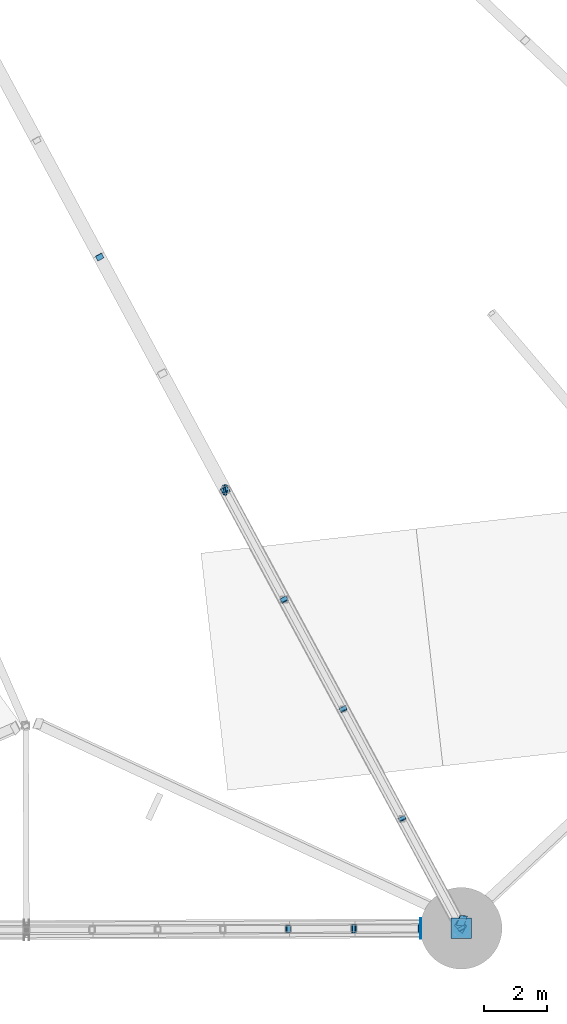
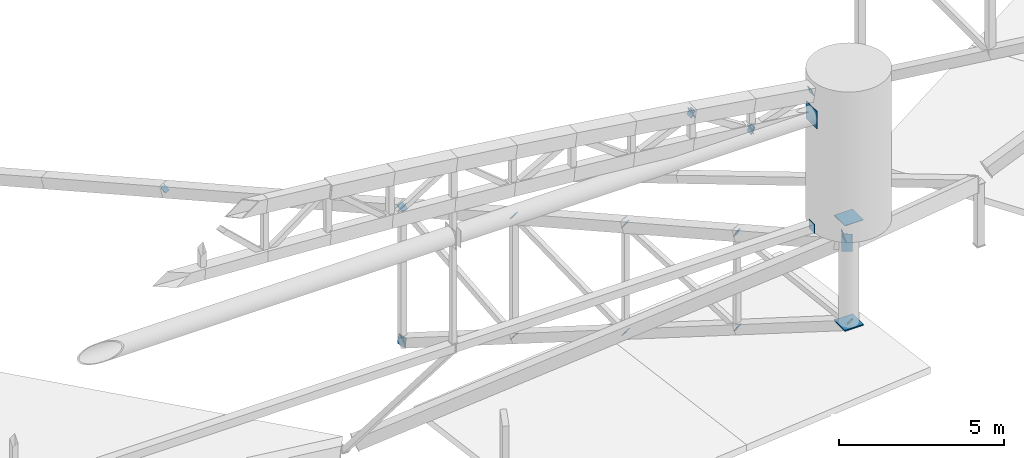
# One storey, part 141 of 188: 24 discrete accessories.
"""IFC4 building model written with IfcOpenShell, lengths in metres."""

import ifcopenshell
import ifcopenshell.guid

model = None  # the IFC model being written
_history = None  # IfcOwnerHistory: only IFC2X3 demands one
_inside = {}  # id of a spatial element -> (the spatial element, [elements in it])
_under = {}  # id of a project, library or spatial element -> (it, [spatial elements below it])
_declared = {}  # id of a project -> (the project, [libraries it declares])
_typed = {}  # id of a type object -> (the type object, [elements of that type])
_made_of = {}  # id of a material, layer set ... -> (it, [elements and type objects made of it])


def new_model(schema):
    """Start an empty IFC model of exactly this schema.

    Asked for "IFC4X3", IfcOpenShell would pick the latest addendum, in which some entities
    have other attributes; the version numbers below select the first issue.
    IFC2X3 requires an IfcOwnerHistory on every rooted entity: one is made here for all.
    """
    global model, _history
    if schema == "IFC4X3":
        model = ifcopenshell.file(schema_version=(4, 3, 0, 0))
    else:
        model = ifcopenshell.file(schema=schema)
    _inside.clear()
    _under.clear()
    _declared.clear()
    _typed.clear()
    _made_of.clear()
    _history = None
    if model.schema == "IFC2X3":
        org = make("IfcOrganization", Name="unknown")
        user = make(
            "IfcPersonAndOrganization",
            ThePerson=make("IfcPerson", FamilyName="unknown"),
            TheOrganization=org,
        )
        app = make(
            "IfcApplication",
            ApplicationDeveloper=org,
            Version="unknown",
            ApplicationFullName="unknown",
            ApplicationIdentifier="unknown",
        )
        _history = make(
            "IfcOwnerHistory",
            OwningUser=user,
            OwningApplication=app,
            ChangeAction="ADDED",
            CreationDate=0,
        )
    return model


def make(cls, **values):
    """One entity of the class cls with the attributes given. An attribute that is None is left unset."""
    return model.create_entity(
        cls, **{name: value for name, value in values.items() if value is not None}
    )


def rooted(cls, **values):
    """An entity with a GlobalId (a new one), such as an element, a storey or a relation."""
    return make(cls, GlobalId=ifcopenshell.guid.new(), OwnerHistory=_history, **values)


def si_unit(unit_type, name, prefix=None):
    """IfcSIUnit, for example si_unit("LENGTHUNIT", "METRE", prefix="MILLI")."""
    return make("IfcSIUnit", UnitType=unit_type, Prefix=prefix, Name=name)


def assignment(units):
    """IfcUnitAssignment: the units of a project."""
    return None if units is None else make("IfcUnitAssignment", Units=units)


def point(xyz):
    """IfcCartesianPoint."""
    return None if xyz is None else make("IfcCartesianPoint", Coordinates=xyz)


def direction(xyz):
    """IfcDirection."""
    return None if xyz is None else make("IfcDirection", DirectionRatios=xyz)


def frame(location, z_axis=None, x_axis=None):
    """IfcAxis2Placement3D, a coordinate frame: its origin and axes. An axis left out is left unset."""
    return make(
        "IfcAxis2Placement3D",
        Location=point(location),
        Axis=direction(z_axis),
        RefDirection=direction(x_axis),
    )


def frame_2d(location, x_axis=None):
    """IfcAxis2Placement2D, a coordinate frame in the plane: its origin and x axis."""
    return make(
        "IfcAxis2Placement2D", Location=point(location), RefDirection=direction(x_axis)
    )


def origin():
    """The frame at (0, 0, 0) with its axes left unset."""
    return frame((0.0, 0.0, 0.0))


def origin_2d():
    """The frame at (0, 0) in the plane with its x axis left unset."""
    return frame_2d((0.0, 0.0))


def place(relative_to, where):
    """IfcLocalPlacement: puts the frame where relative to a parent placement (None: the world)."""
    return make(
        "IfcLocalPlacement", PlacementRelTo=relative_to, RelativePlacement=where
    )


def context(
    kind, dimensions, precision=None, world=None, true_north=None, identifier=None
):
    """IfcGeometricRepresentationContext, for example the 3D "Model" context."""
    return make(
        "IfcGeometricRepresentationContext",
        ContextIdentifier=identifier,
        ContextType=kind,
        CoordinateSpaceDimension=dimensions,
        Precision=precision,
        WorldCoordinateSystem=world,
        TrueNorth=true_north,
    )


def subcontext(parent, identifier, kind, view, scale=None):
    """IfcGeometricRepresentationSubContext, for example "Body" below "Model"."""
    return make(
        "IfcGeometricRepresentationSubContext",
        ContextIdentifier=identifier,
        ContextType=kind,
        ParentContext=parent,
        TargetScale=scale,
        TargetView=view,
    )


def project(units=None, contexts=None):
    """IfcProject with its units and contexts."""
    return rooted(
        "IfcProject",
        Name="project",
        RepresentationContexts=contexts,
        UnitsInContext=assignment(units),
    )


def spatial(cls, under=None, at=None, **own):
    """A site, building, storey or space (cls), placed at a placement, below another one or the project."""
    s = rooted(cls, ObjectPlacement=at, **own)
    if under is not None:
        _under.setdefault(under.id(), (under, []))[1].append(s)
    return s


def profile(cls, at=None, kind="AREA", **sizes):
    """A parametric profile (cls). Its sizes go by their IFC names, for example OverallWidth=200.0."""
    return make(cls, ProfileType=kind, Position=at, **sizes)


def rectangle(**sizes):
    """IfcRectangleProfileDef."""
    return profile("IfcRectangleProfileDef", **sizes)


def extrude(swept, where, along, depth):
    """IfcExtrudedAreaSolid: the profile swept, set in the frame where, extruded along a direction by depth."""
    return make(
        "IfcExtrudedAreaSolid",
        SweptArea=swept,
        Position=where,
        ExtrudedDirection=direction(along),
        Depth=depth,
    )


def shape(context_of_items, identifier, shape_type, items):
    """IfcShapeRepresentation: the items that make up one representation, for example the "Body"."""
    return make(
        "IfcShapeRepresentation",
        ContextOfItems=context_of_items,
        RepresentationIdentifier=identifier,
        RepresentationType=shape_type,
        Items=items,
    )


def material(Name=None, Category=None):
    """IfcMaterial."""
    return make("IfcMaterial", Name=Name, Category=Category)


def material_profile(
    of_material, cross_section, Name=None, Category=None, Priority=None
):
    """IfcMaterialProfile: a cross section and its material."""
    return make(
        "IfcMaterialProfile",
        Name=Name,
        Material=of_material,
        Profile=cross_section,
        Priority=Priority,
        Category=Category,
    )


def profile_set(profiles, Name=None, composite=None):
    """IfcMaterialProfileSet."""
    return make(
        "IfcMaterialProfileSet",
        Name=Name,
        MaterialProfiles=profiles,
        CompositeProfile=composite,
    )


def made_of(thing, what):
    """Note that an element or type object is made of a material, layer set ...; save() writes the relation."""
    if what is not None:
        _made_of.setdefault(what.id(), (what, []))[1].append(thing)
    return thing


def type_object(cls, material=None, **own):
    """A type object (cls), such as IfcWallType, which elements share."""
    return made_of(rooted(cls, **own), material)


def element(
    cls,
    number,
    at=None,
    inside=None,
    cuts=None,
    type_object=None,
    material=None,
    context=None,
    identifier="Body",
    shape_type=None,
    held_by="IfcProductDefinitionShape",
    body=None,
    shapes=None,
    **own,
):
    """One element of the class cls, such as IfcWall. Its Tag is "e" and its number.

    at: its placement. inside: the storey or other place that contains it. cuts: it is an
    opening in that element (IfcRelVoidsElement). A single representation is given by context,
    identifier, shape_type and body (its items); several are given by shapes. held_by: the class
    of the entity that holds the representations. save() writes the other relations.
    """
    e = rooted(cls, Tag="e%d" % number, ObjectPlacement=at, **own)
    if body is not None:
        shapes = [shape(context, identifier, shape_type, body)]
    if shapes is not None:
        e.Representation = make(held_by, Representations=shapes)
    if inside is not None:
        _inside.setdefault(inside.id(), (inside, []))[1].append(e)
    if cuts is not None:
        rooted(
            "IfcRelVoidsElement", RelatingBuildingElement=cuts, RelatedOpeningElement=e
        )
    if type_object is not None:
        _typed.setdefault(type_object.id(), (type_object, []))[1].append(e)
    return made_of(e, material)


def aggregate(whole, parts):
    """IfcRelAggregates: a whole, such as a stair, and the parts it consists of."""
    return rooted("IfcRelAggregates", RelatingObject=whole, RelatedObjects=parts)


def save(model, path):
    """Write the relations noted so far, then the file.

    IfcRelAggregates (storeys below a building ...), IfcRelContainedInSpatialStructure (elements
    in a storey), IfcRelDefinesByType, IfcRelAssociatesMaterial and IfcRelDeclares: one each for
    every whole, place, type object, material and project.
    """
    for whole, parts in _under.values():
        aggregate(whole, parts)
    for where, things in _inside.values():
        rooted(
            "IfcRelContainedInSpatialStructure",
            RelatedElements=things,
            RelatingStructure=where,
        )
    for kind, things in _typed.values():
        rooted("IfcRelDefinesByType", RelatedObjects=things, RelatingType=kind)
    for what, things in _made_of.values():
        rooted("IfcRelAssociatesMaterial", RelatedObjects=things, RelatingMaterial=what)
    for by, libraries in _declared.values():
        rooted("IfcRelDeclares", RelatingContext=by, RelatedDefinitions=libraries)
    model.write(path)


model = new_model("IFC4")

# Units and contexts
model_context = context("Model", 3, precision=1e-05, world=origin(), true_north=direction((0.0, 1.0)))
body_context = subcontext(model_context, "Body", "Model", "MODEL_VIEW")
ifc_project = project(units=[si_unit("LENGTHUNIT", "METRE"), si_unit("AREAUNIT", "SQUARE_METRE"), si_unit("VOLUMEUNIT", "CUBIC_METRE"), si_unit("PLANEANGLEUNIT", "RADIAN"), si_unit("MASSUNIT", "GRAM", prefix="KILO")], contexts=[model_context])

# Site, building, storey
site_placement = place(None, origin())
site = spatial("IfcSite", under=ifc_project, at=site_placement, CompositionType="ELEMENT")
building_placement = place(site_placement, origin())
building = spatial("IfcBuilding", under=site, at=building_placement, Name="Meseta Stadium", CompositionType="ELEMENT")
storey_placement = place(building_placement, frame((0.0, 0.0, 30.0)))
storey = spatial("IfcBuildingStorey", under=building, at=storey_placement, Name="ROOF", CompositionType="ELEMENT", Elevation=30.0)

# Discrete accessories
ifc_material_1 = material(Name="Steel S355", Category="steel")
ifc_material_profile_1 = material_profile(ifc_material_1, rectangle(XDim=0.219970703125, YDim=0.219970703125, at=origin_2d()), Name="PL 220x220")
ifc_profile_set_1 = profile_set([ifc_material_profile_1], Name="Steel S355")
discrete_accessory_type_1 = type_object("IfcDiscreteAccessoryType", Name="End plate 220x220x20", PredefinedType="ANCHORPLATE", material=ifc_profile_set_1)
discrete_accessory_1_placement = place(storey_placement, frame((40.682373046875, -83.6650390625, 3.4267578125), z_axis=(0.317616853461, -0.586369575619, 0.74517800235), x_axis=(0.879291966537, 0.476283148541, 0.0)))
element("IfcDiscreteAccessory", 1, at=discrete_accessory_1_placement, inside=storey, type_object=discrete_accessory_type_1, Name="End plate of ROOF TRUSS RT-50 diagonal", PredefinedType="ANCHORPLATE", context=body_context, shape_type="SweptSolid", body=[
    extrude(rectangle(XDim=0.219970703125, YDim=0.219970703125, at=origin_2d()), origin(), (0.0, 0.0, 1.0), 0.02001953125),
])
discrete_accessory_2_placement = place(storey_placement, frame((44.67529296875, -91.077392578125, 5.87255859375), z_axis=(0.368465851911, -0.675520728504, -0.638674143313), x_axis=(0.877895572914, 0.478852130681, 0.0)))
element("IfcDiscreteAccessory", 2, at=discrete_accessory_2_placement, inside=storey, type_object=discrete_accessory_type_1, Name="End plate of ROOF TRUSS RT-50 diagonal", PredefinedType="ANCHORPLATE", context=body_context, shape_type="SweptSolid", body=[
    extrude(rectangle(XDim=0.219970703125, YDim=0.219970703125, at=origin_2d()), origin(), (0.0, 0.0, 1.0), 0.019775390625),
])
for number, where, z_axis, x_axis, name in (
    (3, (46.5625, -94.5810546875, 2.56298828125), (0.365419152851, -0.682115751988, -0.633393198274), (0.881479970029, 0.472221412515, 0.0), "End plate of ROOF TRUSS RT-50 diagonal"),
    (4, (46.554931640625, -94.566650390625, 7.014892578125), (0.377431832286, -0.718338003382, -0.584410579023), (0.885243475438, 0.465127927773, 0.0), "End plate of ROOF TRUSS RT-50 diagonal"),
    (5, (48.442626953125, -98.0712890625, 4.1865234375), (0.390534413834, -0.720047825506, -0.573597420318), (0.879031855697, 0.476763040378, 0.0), "End plate of ROOF TRUSS RT-50 diagonal"),
    (6, (48.4345703125, -98.05615234375, 8.156982421875), (0.403249456213, -0.757620190461, -0.513226580635), (0.882746759079, 0.469849081445, 0.0), "End plate of ROOF TRUSS RT-50 diagonal"),
):
    element("IfcDiscreteAccessory", number, at=place(storey_placement, frame(where, z_axis=z_axis, x_axis=x_axis)), inside=storey, type_object=discrete_accessory_type_1, Name=name, PredefinedType="ANCHORPLATE", context=body_context, shape_type="SweptSolid", body=[
        extrude(rectangle(XDim=0.219970703125, YDim=0.219970703125, at=origin_2d()), origin(), (0.0, 0.0, 1.0), 0.02001953125),
    ])
discrete_accessory_3_placement = place(storey_placement, frame((50.32275390625, -101.5615234375, 5.81005859375), z_axis=(0.4057717842, -0.762359109709, -0.504140701582), x_axis=(0.882746759079, 0.469849081445, 0.0)))
element("IfcDiscreteAccessory", 7, at=discrete_accessory_3_placement, inside=storey, type_object=discrete_accessory_type_1, Name="End plate of ROOF TRUSS RT-50 diagonal", PredefinedType="ANCHORPLATE", context=body_context, shape_type="SweptSolid", body=[
    extrude(rectangle(XDim=0.219970703125, YDim=0.219970703125, at=origin_2d()), origin(), (0.0, 0.0, 1.0), 0.019775390625),
])
for number, where, z_axis, x_axis, name in (
    (8, (50.314208984375, -101.54541015625, 9.298828125), (0.42425021587, -0.800014692783, -0.42425021587), (0.883462102068, 0.468502629885, 0.0), "End plate of ROOF TRUSS RT-50 diagonal"),
    (9, (52.202880859375, -105.0517578125, 7.433837890625), (0.428393042953, -0.795587079771, -0.428393042953), (0.880471099922, 0.474099823035, 0.0), "End plate of ROOF TRUSS RT-50 diagonal"),
):
    element("IfcDiscreteAccessory", number, at=place(storey_placement, frame(where, z_axis=z_axis, x_axis=x_axis)), inside=storey, type_object=discrete_accessory_type_1, Name=name, PredefinedType="ANCHORPLATE", context=body_context, shape_type="SweptSolid", body=[
        extrude(rectangle(XDim=0.219970703125, YDim=0.219970703125, at=origin_2d()), origin(), (0.0, 0.0, 1.0), 0.02001953125),
    ])
ifc_material_2 = material(Name="Steel S355", Category="steel")
ifc_material_profile_2 = material_profile(ifc_material_2, rectangle(XDim=0.260009765625, YDim=0.260009765625, at=origin_2d()), Name="PL 260x260")
ifc_profile_set_2 = profile_set([ifc_material_profile_2], Name="Steel S355")
discrete_accessory_type_2 = type_object("IfcDiscreteAccessoryType", Name="End plate 260x260x20", PredefinedType="ANCHORPLATE", material=ifc_profile_set_2)
discrete_accessory_4_placement = place(storey_placement, frame((44.6826171875, -91.0908203125, 5.85986328125), z_axis=(0.2830461079, -0.529173158248, 0.79991291363), x_axis=(0.881784641935, 0.471652250337, 0.0)))
element("IfcDiscreteAccessory", 10, at=discrete_accessory_4_placement, inside=storey, type_object=discrete_accessory_type_2, Name="End plate of ROOF TRUSS RT-50 diagonal", PredefinedType="ANCHORPLATE", context=body_context, shape_type="SweptSolid", body=[
    extrude(rectangle(XDim=0.260009765625, YDim=0.260009765625, at=origin_2d()), origin(), (0.0, 0.0, 1.0), 0.019775390625),
])
discrete_accessory_5_placement = place(storey_placement, frame((46.694580078125, -105.07275390625, 17.121826171875), z_axis=(0.915315032423, 0.0, 0.402738614266), x_axis=(0.0, 1.0, 0.0)))
element("IfcDiscreteAccessory", 11, at=discrete_accessory_5_placement, inside=storey, type_object=discrete_accessory_type_2, Name="End plate of GABLE ARCH GA-S diagonal", PredefinedType="ANCHORPLATE", context=body_context, shape_type="SweptSolid", body=[
    extrude(rectangle(XDim=0.260009765625, YDim=0.260009765625, at=origin_2d()), origin(), (0.0, 0.0, 1.0), 0.02001953125),
])
discrete_accessory_6_placement = place(storey_placement, frame((46.677978515625, -105.072998046875, 17.132568359375), z_axis=(0.83950617284, 0.012345679012, -0.543209876543), x_axis=(-0.014704292442, 0.999891886048, 0.0)))
element("IfcDiscreteAccessory", 12, at=discrete_accessory_6_placement, inside=storey, type_object=discrete_accessory_type_2, Name="End plate of GABLE ARCH GA-S diagonal", PredefinedType="ANCHORPLATE", context=body_context, shape_type="SweptSolid", body=[
    extrude(rectangle(XDim=0.260009765625, YDim=0.260009765625, at=origin_2d()), origin(), (0.0, 0.0, 1.0), 0.019775390625),
])
for number, where, z_axis, x_axis, name in (
    (13, (48.77880859375, -105.06494140625, 15.78125), (0.843095010527, 0.012218768269, -0.537625803814), (-0.014491231835, 0.999894996587, 0.0), "End plate of GABLE ARCH GA-S diagonal"),
    (14, (48.759765625, -105.06494140625, 15.775146484375), (0.952282288042, 0.0, 0.305218682065), (0.0, 1.0, 0.0), "End plate of GABLE ARCH GA-S diagonal"),
    (15, (50.86279296875, -105.056884765625, 16.449951171875), (0.952211325466, 0.012207837506, 0.305195937649), (-0.012819459325, 0.999917827355, 0.0), "End plate of GABLE ARCH GA-S diagonal"),
):
    element("IfcDiscreteAccessory", number, at=place(storey_placement, frame(where, z_axis=z_axis, x_axis=x_axis)), inside=storey, type_object=discrete_accessory_type_2, Name=name, PredefinedType="ANCHORPLATE", context=body_context, shape_type="SweptSolid", body=[
        extrude(rectangle(XDim=0.260009765625, YDim=0.260009765625, at=origin_2d()), origin(), (0.0, 0.0, 1.0), 0.02001953125),
    ])
ifc_material_3 = material(Name="Steel S355", Category="steel")
ifc_material_profile_3 = material_profile(ifc_material_3, rectangle(XDim=0.340087890625, YDim=0.340087890625, at=origin_2d()), Name="PL 340x340")
ifc_profile_set_3 = profile_set([ifc_material_profile_3], Name="Steel S355")
discrete_accessory_type_3 = type_object("IfcDiscreteAccessoryType", Name="End plate 340x340x20", PredefinedType="ANCHORPLATE", material=ifc_profile_set_3)
for number, where, z_axis, x_axis, name in (
    (16, (44.6826171875, -91.0908203125, 0.939453125), (0.963557946105, -0.10977242424, 0.243938720533), (0.113191877531, 0.993573147212, 0.0), "End plate of ROOF PIVOT STRUT RT-49/50"),
    (17, (44.663330078125, -91.09521484375, 0.9423828125), (0.964491035325, 0.219757451087, -0.146504967391), (-0.222154512829, 0.975011472973, 0.0), "End plate of ROOF PIVOT STRUT RT-50/51"),
    (18, (50.90283203125, -105.056640625, 11.449951171875), (1.0, 0.0, 0.0), (0.0, 1.0, 0.0), "End plate of GABLE ARCH GA-S sill beam 06"),
):
    element("IfcDiscreteAccessory", number, at=place(storey_placement, frame(where, z_axis=z_axis, x_axis=x_axis)), inside=storey, type_object=discrete_accessory_type_3, Name=name, PredefinedType="ANCHORPLATE", context=body_context, shape_type="SweptSolid", body=[
        extrude(rectangle(XDim=0.340087890625, YDim=0.340087890625, at=origin_2d()), origin(), (0.0, 0.0, 1.0), 0.02001953125),
    ])
ifc_material_4 = material(Name="Steel S355", Category="steel")
ifc_material_profile_4 = material_profile(ifc_material_4, rectangle(XDim=0.340087890625, YDim=0.5400390625, at=origin_2d()), Name="PL 340x540")
ifc_profile_set_4 = profile_set([ifc_material_profile_4], Name="Steel S355")
discrete_accessory_type_4 = type_object("IfcDiscreteAccessoryType", Name="End plate 340x540x20", PredefinedType="ANCHORPLATE", material=ifc_profile_set_4)
discrete_accessory_7_placement = place(storey_placement, frame((52.21435546875, -104.803955078125, 10.386962890625), z_axis=(0.82458806144, -0.393833103971, 0.40614038847), x_axis=(0.372330659545, 0.918298583721, 0.134527287563)))
element("IfcDiscreteAccessory", 19, at=discrete_accessory_7_placement, inside=storey, type_object=discrete_accessory_type_4, Name="End plate of RIM RING BEAM 50", PredefinedType="ANCHORPLATE", context=body_context, shape_type="SweptSolid", body=[
    extrude(rectangle(XDim=0.340087890625, YDim=0.5400390625, at=origin_2d()), origin(), (0.0, 0.0, 1.0), 0.019775390625),
])
discrete_accessory_8_placement = place(storey_placement, frame((52.175537109375, -104.984375, 10.352783203125), z_axis=(0.655569641534, 0.607008927346, -0.449186606236), x_axis=(-0.720361677352, 0.681138005008, -0.13088190072)))
element("IfcDiscreteAccessory", 20, at=discrete_accessory_8_placement, inside=storey, type_object=discrete_accessory_type_4, Name="End plate of RIM RING BEAM 51", PredefinedType="ANCHORPLATE", context=body_context, shape_type="SweptSolid", body=[
    extrude(rectangle(XDim=0.340087890625, YDim=0.5400390625, at=origin_2d()), origin(), (0.0, 0.0, 1.0), 0.02001953125),
])
ifc_material_5 = material(Name="Steel S355", Category="steel")
ifc_material_profile_5 = material_profile(ifc_material_5, rectangle(XDim=0.64990234375, YDim=0.64990234375, at=origin_2d()), Name="PL 650x650")
ifc_profile_set_5 = profile_set([ifc_material_profile_5], Name="Steel S355")
discrete_accessory_type_5 = type_object("IfcDiscreteAccessoryType", Name="End plate 650x650x20", PredefinedType="ANCHORPLATE", material=ifc_profile_set_5)
discrete_accessory_9_placement = place(storey_placement, frame((52.202880859375, -105.0517578125, 7.433837890625), z_axis=(0.0, 0.0, 1.0), x_axis=(1.0, 0.0, 0.0)))
element("IfcDiscreteAccessory", 21, at=discrete_accessory_9_placement, inside=storey, type_object=discrete_accessory_type_5, Name="End plate of GABLE ARCH GA-S pylon post", PredefinedType="ANCHORPLATE", context=body_context, shape_type="SweptSolid", body=[
    extrude(rectangle(XDim=0.64990234375, YDim=0.64990234375, at=origin_2d()), origin(), (0.0, 0.0, 1.0), 0.019775390625),
])
for number, where, z_axis, x_axis, name in (
    (22, (52.202880859375, -105.0517578125, 7.413818359375), (0.0, 0.0, 1.0), (1.0, 0.0, 0.0), "End plate of GABLE ARCH GA-S pylon post"),
    (23, (52.202880859375, -105.0517578125, 11.300048828125), (0.0, 0.0, 1.0), (1.0, 0.0, 0.0), "End plate of GABLE ARCH GA-S pylon post"),
    (24, (50.90283203125, -105.056640625, 15.550048828125), (1.0, 0.0, 0.0), (0.0, 1.0, 0.0), "End plate of GABLE ARCH GA-S tie 06"),
):
    element("IfcDiscreteAccessory", number, at=place(storey_placement, frame(where, z_axis=z_axis, x_axis=x_axis)), inside=storey, type_object=discrete_accessory_type_5, Name=name, PredefinedType="ANCHORPLATE", context=body_context, shape_type="SweptSolid", body=[
        extrude(rectangle(XDim=0.64990234375, YDim=0.64990234375, at=origin_2d()), origin(), (0.0, 0.0, 1.0), 0.02001953125),
    ])

save(model, "model.ifc")
